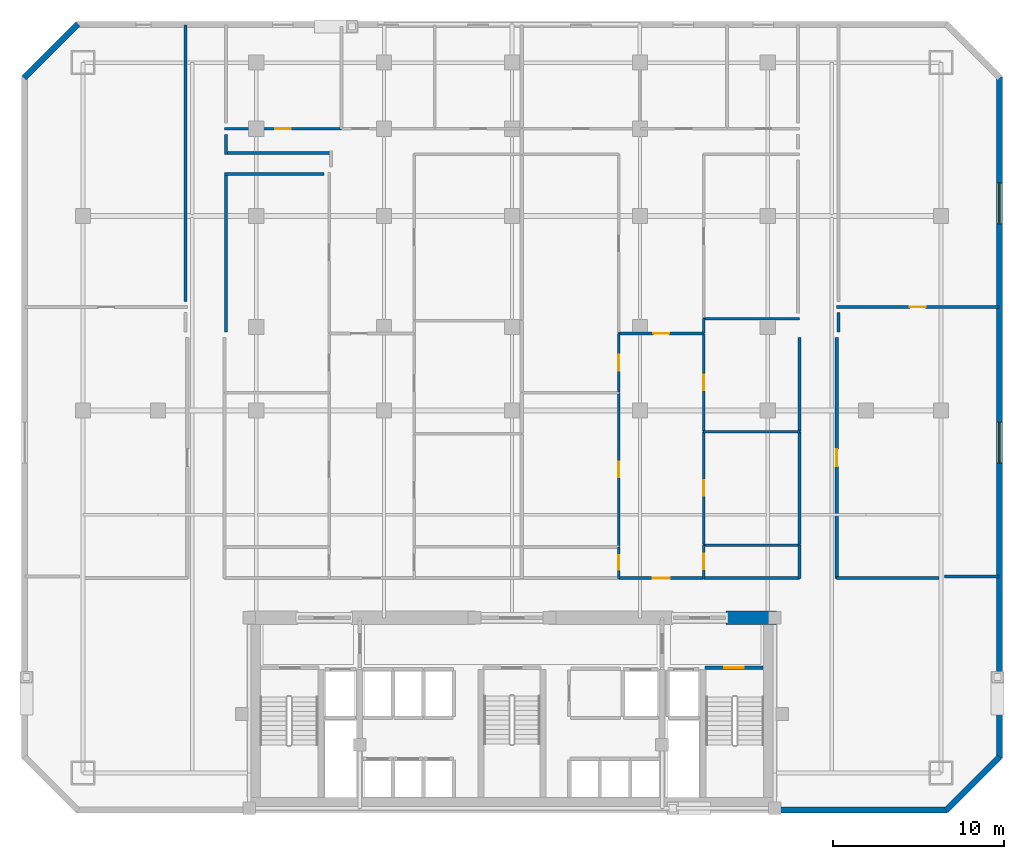
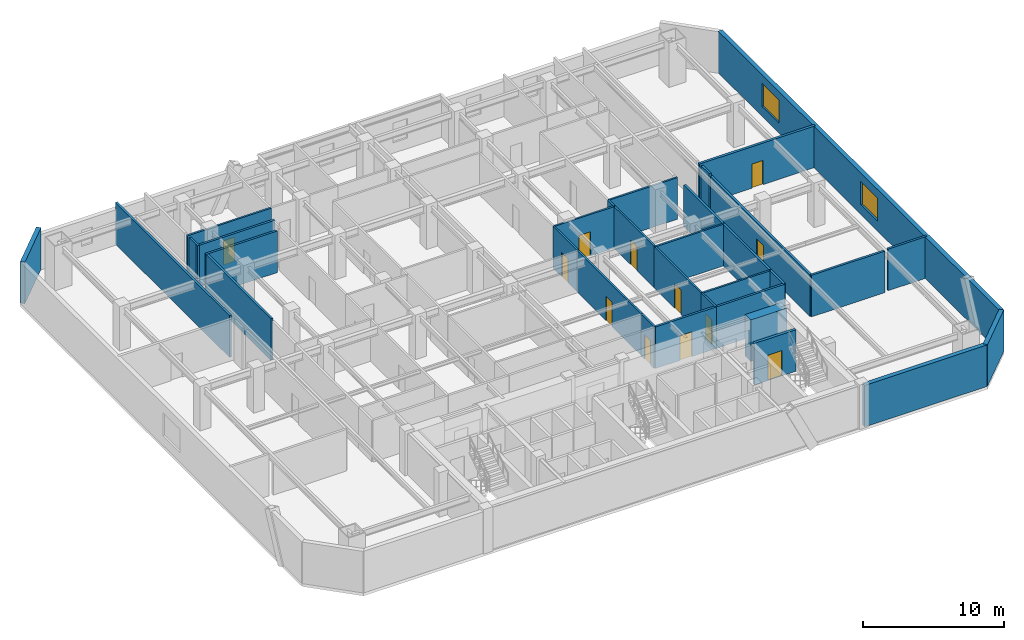
# One storey, part 5 of 8: 33 walls, 12 doors, 2 windows, 14 openings.
"""IFC4 building model written with IfcOpenShell, lengths in metres."""

from ifc_helpers import new_model, si_unit, direction, frame, frame_2d, origin, place, context, subcontext, project, spatial, rectangle, extrude, material, layer, layer_set, type_object, element, fill, save


model = new_model("IFC4")

# Units and contexts
model_context = context("Model", 3, precision=1e-05, world=origin(), true_north=direction((0.0, 1.0)))
body_context = subcontext(model_context, "Body", "Model", "MODEL_VIEW")
ifc_project = project(units=[si_unit("LENGTHUNIT", "METRE"), si_unit("AREAUNIT", "SQUARE_METRE"), si_unit("VOLUMEUNIT", "CUBIC_METRE"), si_unit("PLANEANGLEUNIT", "RADIAN"), si_unit("MASSUNIT", "GRAM", prefix="KILO")], contexts=[model_context])

# Site, building, storey
site_placement = place(None, origin())
site = spatial("IfcSite", under=ifc_project, at=site_placement, CompositionType="ELEMENT")
building_placement = place(site_placement, origin())
building = spatial("IfcBuilding", under=site, at=building_placement, Name="Ventersveld Concourse Tower", CompositionType="ELEMENT")
storey_placement = place(building_placement, frame((0.0, 0.0, 37.5)))
storey = spatial("IfcBuildingStorey", under=building, at=storey_placement, Name="L08", CompositionType="ELEMENT", Elevation=37.5)

# Wall
ifc_material_1 = material(Name="Concrete C60/75", Category="concrete")
ifc_layer_1 = layer(ifc_material_1, 0.800048828125)
ifc_layer_set_1 = layer_set([ifc_layer_1], Name="Concrete C60/75")
wall_type_1 = type_object("IfcWallType", Name="WL-CORE-800", PredefinedType="SHEAR", material=ifc_layer_set_1)
wall_1_placement = place(storey_placement, frame((41.300048828125, 11.449951171875, 0.0), z_axis=(0.0, 0.0, 1.0), x_axis=(1.0, 0.0, 0.0)))
element("IfcWall", 1, at=wall_1_placement, inside=storey, type_object=wall_type_1, Name="L08 Rear Core North Shear Wall NE", PredefinedType="SHEAR", context=body_context, shape_type="SweptSolid", body=[
    extrude(rectangle(XDim=2.949951171875, YDim=0.800048828125, at=frame_2d((1.47509765625, 0.0))), origin(), (0.0, 0.0, 1.0), 3.60009765625),
])

# Wall, opening, door
ifc_material_2 = material(Name="Fire-rated autoclaved aerated masonry blockwork", Category="masonry")
ifc_layer_2 = layer(ifc_material_2, 0.179931640625)
ifc_layer_set_2 = layer_set([ifc_layer_2], Name="Fire-rated autoclaved aerated masonry blockwork")
wall_type_2 = type_object("IfcWallType", Name="WL-CORR-180", PredefinedType="PARTITIONING", material=ifc_layer_set_2)
wall_2_placement = place(storey_placement, frame((47.7900390625, 13.764892578125, 0.0), z_axis=(0.0, 0.0, 1.0), x_axis=(0.0, 1.0, 0.0)))
wall_2 = element("IfcWall", 2, at=wall_2_placement, inside=storey, type_object=wall_type_2, Name="L08 Interior Partition SP-L08-COR-SP-L08-NELNG1", PredefinedType="PARTITIONING", context=body_context, shape_type="SweptSolid", body=[
    extrude(rectangle(XDim=14.130126953125, YDim=0.179931640625, at=frame_2d((7.06494140625, 0.0))), origin(), (0.0, 0.0, 1.0), 3.60009765625),
])
opening_1_placement = place(wall_2_placement, frame((6.56494140625, 0.0, 0.0)))
opening_1 = element("IfcOpeningElement", 3, at=opening_1_placement, cuts=wall_2, Name="Opening FD3", PredefinedType="OPENING", context=body_context, shape_type="SweptSolid", body=[
    extrude(rectangle(XDim=1.0, YDim=2.14990234375, at=frame_2d((0.5, 1.074951171875))), frame((0.0, 0.10009765625, 0.0), z_axis=(0.0, -1.0, 0.0), x_axis=(1.0, 0.0, 0.0)), (0.0, 0.0, 1.0), 0.199951171875),
])
ifc_material_3 = material(Name="Solid-core hardwood veneer timber", Category="wood")
door_type_1 = type_object("IfcDoorType", Name="DR-FLAT-100", OperationType="NOTDEFINED", PredefinedType="DOOR", material=ifc_material_3)
door_1_placement = place(opening_1_placement, origin())
door_1 = element("IfcDoor", 4, at=door_1_placement, inside=storey, type_object=door_type_1, Name="L08 Interior Door SP-L08-COR to SP-L08-NELNG1 (D-L08-0266)", OperationType="SINGLE_SWING_RIGHT", OverallHeight=2.14990234375, OverallWidth=1.0, PredefinedType="DOOR", context=body_context, shape_type="SweptSolid", body=[
    extrude(rectangle(XDim=1.0, YDim=2.14990234375, at=frame_2d((0.5, 1.074951171875))), frame((0.0, 0.02490234375, 0.0), z_axis=(0.0, -1.0, 0.0), x_axis=(1.0, 0.0, 0.0)), (0.0, 0.0, 1.0), 0.050048828125),
])
fill(opening_1, door_1)

# Wall
wall_3_placement = place(storey_placement, frame((47.784912109375, 13.77001953125, 0.0), z_axis=(0.0, 0.0, 1.0), x_axis=(1.0, 0.0, 0.0)))
element("IfcWall", 5, at=wall_3_placement, inside=storey, type_object=wall_type_2, Name="L08 Interior Partition SP-L08-COR-SP-L08-NELNG1", PredefinedType="PARTITIONING", context=body_context, shape_type="SweptSolid", body=[
    extrude(rectangle(XDim=6.010009765625, YDim=0.179931640625, at=frame_2d((3.0048828125, 0.0))), origin(), (0.0, 0.0, 1.0), 3.60009765625),
])

# Wall, opening, door
wall_4_placement = place(storey_placement, frame((35.00048828125, 13.77001953125, 0.0), z_axis=(0.0, 0.0, 1.0), x_axis=(1.0, 0.0, 0.0)))
wall_4 = element("IfcWall", 6, at=wall_4_placement, inside=storey, type_object=wall_type_2, Name="L08 Interior Partition SP-L08-COR-SP-L08-08N2-FOY", PredefinedType="PARTITIONING", context=body_context, shape_type="SweptSolid", body=[
    extrude(rectangle(XDim=4.989990234375, YDim=0.179931640625, at=frame_2d((2.4951171875, 0.0))), origin(), (0.0, 0.0, 1.0), 3.60009765625),
])
opening_2_placement = place(wall_4_placement, frame((1.9951171875, 0.0, 0.0)))
opening_2 = element("IfcOpeningElement", 7, at=opening_2_placement, cuts=wall_4, Name="Opening FD3", PredefinedType="OPENING", context=body_context, shape_type="SweptSolid", body=[
    extrude(rectangle(XDim=1.0, YDim=2.14990234375, at=frame_2d((0.5, 1.074951171875))), frame((0.0, 0.10009765625, 0.0), z_axis=(0.0, -1.0, 0.0), x_axis=(1.0, 0.0, 0.0)), (0.0, 0.0, 1.0), 0.199951171875),
])
door_2_placement = place(opening_2_placement, origin())
door_2 = element("IfcDoor", 8, at=door_2_placement, inside=storey, type_object=door_type_1, Name="L08 Interior Door SP-L08-COR to SP-L08-08N2-FOY (FD-L08-0268)", OperationType="SINGLE_SWING_RIGHT", OverallHeight=2.14990234375, OverallWidth=1.0, PredefinedType="DOOR", context=body_context, shape_type="SweptSolid", body=[
    extrude(rectangle(XDim=1.0, YDim=2.14990234375, at=frame_2d((0.5, 1.074951171875))), frame((0.0, 0.02490234375, 0.0), z_axis=(0.0, -1.0, 0.0), x_axis=(1.0, 0.0, 0.0)), (0.0, 0.0, 1.0), 0.050048828125),
])
fill(opening_2, door_2)

# Walls
wall_5_placement = place(storey_placement, frame((40.0205078125, 13.77001953125, 0.0), z_axis=(0.0, 0.0, 1.0), x_axis=(1.0, 0.0, 0.0)))
element("IfcWall", 9, at=wall_5_placement, inside=storey, type_object=wall_type_2, Name="L08 Interior Partition SP-L08-COR-SP-L08-08N2-KIT", PredefinedType="PARTITIONING", context=body_context, shape_type="SweptSolid", body=[
    extrude(rectangle(XDim=5.594482421875, YDim=0.179931640625, at=frame_2d((2.79736328125, 0.0))), origin(), (0.0, 0.0, 1.0), 3.60009765625),
])
wall_6_placement = place(storey_placement, frame((45.610107421875, 13.764892578125, 0.0), z_axis=(0.0, 0.0, 1.0), x_axis=(0.0, 1.0, 0.0)))
element("IfcWall", 10, at=wall_6_placement, inside=storey, type_object=wall_type_2, Name="L08 Interior Partition SP-L08-COR-SP-L08-08N2-KIT", PredefinedType="PARTITIONING", context=body_context, shape_type="SweptSolid", body=[
    extrude(rectangle(XDim=1.953369140625, YDim=0.179931640625, at=frame_2d((0.9765625, 0.0))), origin(), (0.0, 0.0, 1.0), 3.60009765625),
])
wall_7_placement = place(storey_placement, frame((45.610107421875, 15.748291015625, 0.0), z_axis=(0.0, 0.0, 1.0), x_axis=(0.0, 1.0, 0.0)))
element("IfcWall", 11, at=wall_7_placement, inside=storey, type_object=wall_type_2, Name="L08 Interior Partition SP-L08-COR-SP-L08-08N2-DENR", PredefinedType="PARTITIONING", context=body_context, shape_type="SweptSolid", body=[
    extrude(rectangle(XDim=6.60302734375, YDim=0.179931640625, at=frame_2d((3.301513671875, 0.0))), origin(), (0.0, 0.0, 1.0), 3.60009765625),
])
wall_8_placement = place(storey_placement, frame((45.610107421875, 22.381103515625, 0.0), z_axis=(0.0, 0.0, 1.0), x_axis=(0.0, 1.0, 0.0)))
element("IfcWall", 12, at=wall_8_placement, inside=storey, type_object=wall_type_2, Name="L08 Interior Partition SP-L08-COR-SP-L08-08N2-DENS", PredefinedType="PARTITIONING", context=body_context, shape_type="SweptSolid", body=[
    extrude(rectangle(XDim=5.513916015625, YDim=0.179931640625, at=frame_2d((2.7568359375, 0.0))), origin(), (0.0, 0.0, 1.0), 3.60009765625),
])
wall_9_placement = place(storey_placement, frame((9.6201171875, 46.18994140625, 0.0), z_axis=(0.0, 0.0, 1.0), x_axis=(0.0, -1.0, 0.0)))
element("IfcWall", 13, at=wall_9_placement, inside=storey, type_object=wall_type_2, Name="L08 Room Enclosure Wall SP-L08-NWLNG2", PredefinedType="PARTITIONING", context=body_context, shape_type="SweptSolid", body=[
    extrude(rectangle(XDim=16.19482421875, YDim=0.179931640625, at=frame_2d((8.097412109375, 0.0))), origin(), (0.0, 0.0, 1.0), 3.60009765625),
])
wall_10_placement = place(storey_placement, frame((47.8798828125, 28.2099609375, 0.0), z_axis=(0.0, 0.0, 1.0), x_axis=(0.0, 1.0, 0.0)))
element("IfcWall", 14, at=wall_10_placement, inside=storey, type_object=wall_type_2, Name="L08 Room Enclosure Wall SP-L08-NELNG1", PredefinedType="PARTITIONING", context=body_context, shape_type="SweptSolid", body=[
    extrude(rectangle(XDim=1.135009765625, YDim=0.179931640625, at=frame_2d((0.5673828125, 0.0))), origin(), (0.0, 0.0, 1.0), 3.60009765625),
])
wall_11_placement = place(storey_placement, frame((57.2900390625, 13.860107421875, 0.0), z_axis=(0.0, 0.0, 1.0), x_axis=(-1.0, 0.0, 0.0)))
element("IfcWall", 15, at=wall_11_placement, inside=storey, type_object=wall_type_2, Name="L08 Room Enclosure Wall SP-L08-NELNG1", PredefinedType="PARTITIONING", context=body_context, shape_type="SweptSolid", body=[
    extrude(rectangle(XDim=3.18017578125, YDim=0.179931640625, at=frame_2d((1.590087890625, 0.0))), origin(), (0.0, 0.0, 1.0), 3.60009765625),
])
wall_12_placement = place(storey_placement, frame((18.225341796875, 38.7099609375, 0.0), z_axis=(0.0, 0.0, 1.0), x_axis=(-1.0, 0.0, 0.0)))
element("IfcWall", 16, at=wall_12_placement, inside=storey, type_object=wall_type_2, Name="L08 Room Enclosure Wall SP-L08-08N1-LIV", PredefinedType="PARTITIONING", context=body_context, shape_type="SweptSolid", body=[
    extrude(rectangle(XDim=6.34033203125, YDim=0.179931640625, at=frame_2d((3.170166015625, 0.0))), origin(), (0.0, 0.0, 1.0), 3.60009765625),
])
wall_13_placement = place(storey_placement, frame((11.97998046875, 38.614990234375, 0.0), z_axis=(0.0, 0.0, 1.0), x_axis=(0.0, 1.0, 0.0)))
element("IfcWall", 17, at=wall_13_placement, inside=storey, type_object=wall_type_2, Name="L08 Room Enclosure Wall SP-L08-08N1-LIV", PredefinedType="PARTITIONING", context=body_context, shape_type="SweptSolid", body=[
    extrude(rectangle(XDim=1.179931640625, YDim=0.179931640625, at=frame_2d((0.58984375, 0.0))), origin(), (0.0, 0.0, 1.0), 3.60009765625),
])
wall_14_placement = place(storey_placement, frame((11.885009765625, 37.469482421875, 0.0), z_axis=(0.0, 0.0, 1.0), x_axis=(1.0, 0.0, 0.0)))
element("IfcWall", 18, at=wall_14_placement, inside=storey, type_object=wall_type_2, Name="L08 Room Enclosure Wall SP-L08-08N1-DENL2", PredefinedType="PARTITIONING", context=body_context, shape_type="SweptSolid", body=[
    extrude(rectangle(XDim=5.830322265625, YDim=0.179931640625, at=frame_2d((2.9150390625, 0.0))), origin(), (0.0, 0.0, 1.0), 3.60009765625),
])
wall_15_placement = place(storey_placement, frame((11.97998046875, 28.2099609375, 0.0), z_axis=(0.0, 0.0, 1.0), x_axis=(0.0, 1.0, 0.0)))
element("IfcWall", 19, at=wall_15_placement, inside=storey, type_object=wall_type_2, Name="L08 Room Enclosure Wall SP-L08-08N1-DENL2", PredefinedType="PARTITIONING", context=body_context, shape_type="SweptSolid", body=[
    extrude(rectangle(XDim=9.354736328125, YDim=0.179931640625, at=frame_2d((4.67724609375, 0.0))), origin(), (0.0, 0.0, 1.0), 3.60009765625),
])

# Wall, opening, door
ifc_layer_3 = layer(ifc_material_2, 0.199951171875)
ifc_layer_set_3 = layer_set([ifc_layer_3], Name="Fire-rated autoclaved aerated masonry blockwork")
wall_type_3 = type_object("IfcWallType", Name="WL-DEMISE-200", PredefinedType="PARTITIONING", material=ifc_layer_set_3)
wall_16_placement = place(storey_placement, frame((47.784912109375, 29.669921875, 0.0), z_axis=(0.0, 0.0, 1.0), x_axis=(1.0, 0.0, 0.0)))
wall_16 = element("IfcWall", 20, at=wall_16_placement, inside=storey, type_object=wall_type_3, Name="L08 Interior Partition SP-L08-NELNG1-SP-L08-NELNG2", PredefinedType="PARTITIONING", context=body_context, shape_type="SweptSolid", body=[
    extrude(rectangle(XDim=9.505126953125, YDim=0.199951171875, at=frame_2d((4.75244140625, 0.0))), origin(), (0.0, 0.0, 1.0), 3.60009765625),
])
opening_3_placement = place(wall_16_placement, frame((4.29248046875, 0.0, 0.0)))
opening_3 = element("IfcOpeningElement", 21, at=opening_3_placement, cuts=wall_16, Name="Opening ID1", PredefinedType="OPENING", context=body_context, shape_type="SweptSolid", body=[
    extrude(rectangle(XDim=0.919921875, YDim=2.10009765625, at=frame_2d((0.4599609375, 1.050048828125))), frame((0.0, 0.10986328125, 0.0), z_axis=(0.0, -1.0, 0.0), x_axis=(1.0, 0.0, 0.0)), (0.0, 0.0, 1.0), 0.219970703125),
])
door_type_2 = type_object("IfcDoorType", Name="DR-ROOM-092", OperationType="NOTDEFINED", PredefinedType="DOOR", material=ifc_material_3)
door_3_placement = place(opening_3_placement, origin())
door_3 = element("IfcDoor", 22, at=door_3_placement, inside=storey, type_object=door_type_2, Name="L08 Interior Door SP-L08-NELNG1 to SP-L08-NELNG2 (D-L08-0270)", OperationType="SINGLE_SWING_RIGHT", OverallHeight=2.10009765625, OverallWidth=0.919921875, PredefinedType="DOOR", context=body_context, shape_type="SweptSolid", body=[
    extrude(rectangle(XDim=0.919921875, YDim=2.10009765625, at=frame_2d((0.4599609375, 1.050048828125))), frame((0.0, 0.02490234375, 0.0), z_axis=(0.0, -1.0, 0.0), x_axis=(1.0, 0.0, 0.0)), (0.0, 0.0, 1.0), 0.050048828125),
])
fill(opening_3, door_3)

ifc_layer_4 = layer(ifc_material_2, 0.219970703125)
ifc_layer_set_4 = layer_set([ifc_layer_4], Name="Fire-rated autoclaved aerated masonry blockwork")
wall_type_4 = type_object("IfcWallType", Name="WL-HOIST-220", PredefinedType="SOLIDWALL", material=ifc_layer_set_4)
wall_17_placement = place(storey_placement, frame((40.06005859375, 8.52001953125, 0.0), z_axis=(0.0, 0.0, 1.0), x_axis=(1.0, 0.0, 0.0)))
wall_17 = element("IfcWall", 23, at=wall_17_placement, inside=storey, type_object=wall_type_4, Name="L08 Escape Stair ST02 Fire Wall", PredefinedType="SOLIDWALL", context=body_context, shape_type="SweptSolid", body=[
    extrude(rectangle(XDim=3.39990234375, YDim=0.219970703125, at=frame_2d((1.699951171875, 0.0))), origin(), (0.0, 0.0, 1.0), 3.60009765625),
])
opening_4_placement = place(wall_17_placement, frame((1.125, 0.0, 0.0)))
opening_4 = element("IfcOpeningElement", 24, at=opening_4_placement, cuts=wall_17, Name="Opening FD1", PredefinedType="OPENING", context=body_context, shape_type="SweptSolid", body=[
    extrude(rectangle(XDim=1.14990234375, YDim=2.199951171875, at=frame_2d((0.574951171875, 1.10009765625))), frame((0.0, 0.1201171875, 0.0), z_axis=(0.0, -1.0, 0.0), x_axis=(1.0, 0.0, 0.0)), (0.0, 0.0, 1.0), 0.239990234375),
])
ifc_material_4 = material(Name="Galvanised painted steel", Category="steel")
door_type_3 = type_object("IfcDoorType", Name="DR-STAIR-115", OperationType="NOTDEFINED", PredefinedType="DOOR", material=ifc_material_4)
door_4_placement = place(opening_4_placement, origin())
door_4 = element("IfcDoor", 25, at=door_4_placement, inside=storey, type_object=door_type_3, Name="L08 Escape Stair Door ST02 (SD-L08-0257)", OperationType="SINGLE_SWING_RIGHT", OverallHeight=2.199951171875, OverallWidth=1.14990234375, PredefinedType="DOOR", context=body_context, shape_type="SweptSolid", body=[
    extrude(rectangle(XDim=1.14990234375, YDim=2.199951171875, at=frame_2d((0.574951171875, 1.10009765625))), frame((0.0, 0.02490234375, 0.0), z_axis=(0.0, -1.0, 0.0), x_axis=(1.0, 0.0, 0.0)), (0.0, 0.0, 1.0), 0.050048828125),
])
fill(opening_4, door_4)

ifc_material_5 = material(Name="Autoclaved aerated masonry blockwork", Category="masonry")
ifc_layer_5 = layer(ifc_material_5, 0.14990234375)
ifc_layer_set_5 = layer_set([ifc_layer_5], Name="Autoclaved aerated masonry blockwork")
wall_type_5 = type_object("IfcWallType", Name="WL-INT-150", PredefinedType="PARTITIONING", material=ifc_layer_set_5)
wall_18_placement = place(storey_placement, frame((11.885009765625, 40.1201171875, 0.0), z_axis=(0.0, 0.0, 1.0), x_axis=(1.0, 0.0, 0.0)))
wall_18 = element("IfcWall", 26, at=wall_18_placement, inside=storey, type_object=wall_type_5, Name="L08 Interior Partition SP-L08-08N1-LIV-SP-L08-08N1-BR1", PredefinedType="PARTITIONING", context=body_context, shape_type="SweptSolid", body=[
    extrude(rectangle(XDim=6.873291015625, YDim=0.14990234375, at=frame_2d((3.4365234375, 0.0))), origin(), (0.0, 0.0, 1.0), 3.60009765625),
])
opening_5_placement = place(wall_18_placement, frame((2.9765625, 0.0, 0.0)))
opening_5 = element("IfcOpeningElement", 27, at=opening_5_placement, cuts=wall_18, Name="Opening ID1", PredefinedType="OPENING", context=body_context, shape_type="SweptSolid", body=[
    extrude(rectangle(XDim=0.919921875, YDim=2.10009765625, at=frame_2d((0.4599609375, 1.050048828125))), frame((0.0, 0.0849609375, 0.0), z_axis=(0.0, -1.0, 0.0), x_axis=(1.0, 0.0, 0.0)), (0.0, 0.0, 1.0), 0.169921875),
])
door_5_placement = place(opening_5_placement, origin())
door_5 = element("IfcDoor", 28, at=door_5_placement, inside=storey, type_object=door_type_2, Name="L08 Interior Door SP-L08-08N1-LIV to SP-L08-08N1-BR1 (D-L08-0280)", OperationType="SINGLE_SWING_RIGHT", OverallHeight=2.10009765625, OverallWidth=0.919921875, PredefinedType="DOOR", context=body_context, shape_type="SweptSolid", body=[
    extrude(rectangle(XDim=0.919921875, YDim=2.10009765625, at=frame_2d((0.4599609375, 1.050048828125))), frame((0.0, 0.02490234375, 0.0), z_axis=(0.0, -1.0, 0.0), x_axis=(1.0, 0.0, 0.0)), (0.0, 0.0, 1.0), 0.050048828125),
])
fill(opening_5, door_5)

wall_19_placement = place(storey_placement, frame((35.00048828125, 28.11669921875, 0.0), z_axis=(0.0, 0.0, 1.0), x_axis=(1.0, 0.0, 0.0)))
wall_19 = element("IfcWall", 29, at=wall_19_placement, inside=storey, type_object=wall_type_5, Name="L08 Interior Partition SP-L08-08N2-FOY-SP-L08-08N2-LIV", PredefinedType="PARTITIONING", context=body_context, shape_type="SweptSolid", body=[
    extrude(rectangle(XDim=4.989990234375, YDim=0.14990234375, at=frame_2d((2.4951171875, 0.0))), origin(), (0.0, 0.0, 1.0), 3.60009765625),
])
opening_6_placement = place(wall_19_placement, frame((2.034912109375, 0.0, 0.0)))
opening_6 = element("IfcOpeningElement", 30, at=opening_6_placement, cuts=wall_19, Name="Opening ID1", PredefinedType="OPENING", context=body_context, shape_type="SweptSolid", body=[
    extrude(rectangle(XDim=0.919921875, YDim=2.10009765625, at=frame_2d((0.4599609375, 1.050048828125))), frame((0.0, 0.0849609375, 0.0), z_axis=(0.0, -1.0, 0.0), x_axis=(1.0, 0.0, 0.0)), (0.0, 0.0, 1.0), 0.169921875),
])
door_6_placement = place(opening_6_placement, origin())
door_6 = element("IfcDoor", 31, at=door_6_placement, inside=storey, type_object=door_type_2, Name="L08 Interior Door SP-L08-08N2-FOY to SP-L08-08N2-LIV (D-L08-0283)", OperationType="SINGLE_SWING_LEFT", OverallHeight=2.10009765625, OverallWidth=0.919921875, PredefinedType="DOOR", context=body_context, shape_type="SweptSolid", body=[
    extrude(rectangle(XDim=0.919921875, YDim=2.10009765625, at=frame_2d((0.4599609375, 1.050048828125))), frame((0.0, 0.02490234375, 0.0), z_axis=(0.0, -1.0, 0.0), x_axis=(1.0, 0.0, 0.0)), (0.0, 0.0, 1.0), 0.050048828125),
])
fill(opening_6, door_6)

wall_20_placement = place(storey_placement, frame((35.005615234375, 15.635009765625, 0.0), z_axis=(0.0, 0.0, 1.0), x_axis=(0.0, 1.0, 0.0)))
wall_20 = element("IfcWall", 32, at=wall_20_placement, inside=storey, type_object=wall_type_5, Name="L08 Interior Partition SP-L08-08N2-FOY-SP-L08-08N2-DENL", PredefinedType="PARTITIONING", context=body_context, shape_type="SweptSolid", body=[
    extrude(rectangle(XDim=9.019775390625, YDim=0.14990234375, at=frame_2d((4.509765625, 0.0))), origin(), (0.0, 0.0, 1.0), 3.60009765625),
])
opening_7_placement = place(wall_20_placement, frame((4.050048828125, 0.0, 0.0)))
opening_7 = element("IfcOpeningElement", 33, at=opening_7_placement, cuts=wall_20, Name="Opening ID1", PredefinedType="OPENING", context=body_context, shape_type="SweptSolid", body=[
    extrude(rectangle(XDim=0.919921875, YDim=2.10009765625, at=frame_2d((0.4599609375, 1.050048828125))), frame((0.0, 0.0849609375, 0.0), z_axis=(0.0, -1.0, 0.0), x_axis=(1.0, 0.0, 0.0)), (0.0, 0.0, 1.0), 0.169921875),
])
door_7_placement = place(opening_7_placement, origin())
door_7 = element("IfcDoor", 34, at=door_7_placement, inside=storey, type_object=door_type_2, Name="L08 Interior Door SP-L08-08N2-FOY to SP-L08-08N2-DENL (D-L08-0285)", OperationType="SINGLE_SWING_LEFT", OverallHeight=2.10009765625, OverallWidth=0.919921875, PredefinedType="DOOR", context=body_context, shape_type="SweptSolid", body=[
    extrude(rectangle(XDim=0.919921875, YDim=2.10009765625, at=frame_2d((0.4599609375, 1.050048828125))), frame((0.0, 0.02490234375, 0.0), z_axis=(0.0, -1.0, 0.0), x_axis=(1.0, 0.0, 0.0)), (0.0, 0.0, 1.0), 0.050048828125),
])
fill(opening_7, door_7)

wall_21_placement = place(storey_placement, frame((35.005615234375, 24.684814453125, 0.0), z_axis=(0.0, 0.0, 1.0), x_axis=(0.0, 1.0, 0.0)))
wall_21 = element("IfcWall", 35, at=wall_21_placement, inside=storey, type_object=wall_type_5, Name="L08 Interior Partition SP-L08-08N2-FOY-SP-L08-08N2-DENL2", PredefinedType="PARTITIONING", context=body_context, shape_type="SweptSolid", body=[
    extrude(rectangle(XDim=3.436767578125, YDim=0.14990234375, at=frame_2d((1.71826171875, 0.0))), origin(), (0.0, 0.0, 1.0), 3.60009765625),
])
opening_8_placement = place(wall_21_placement, frame((1.25830078125, 0.0, 0.0)))
opening_8 = element("IfcOpeningElement", 36, at=opening_8_placement, cuts=wall_21, Name="Opening ID1", PredefinedType="OPENING", context=body_context, shape_type="SweptSolid", body=[
    extrude(rectangle(XDim=0.919921875, YDim=2.10009765625, at=frame_2d((0.4599609375, 1.050048828125))), frame((0.0, 0.0849609375, 0.0), z_axis=(0.0, -1.0, 0.0), x_axis=(1.0, 0.0, 0.0)), (0.0, 0.0, 1.0), 0.169921875),
])
door_8_placement = place(opening_8_placement, origin())
door_8 = element("IfcDoor", 37, at=door_8_placement, inside=storey, type_object=door_type_2, Name="L08 Interior Door SP-L08-08N2-FOY to SP-L08-08N2-DENL2 (D-L08-0286)", OperationType="SINGLE_SWING_RIGHT", OverallHeight=2.10009765625, OverallWidth=0.919921875, PredefinedType="DOOR", context=body_context, shape_type="SweptSolid", body=[
    extrude(rectangle(XDim=0.919921875, YDim=2.10009765625, at=frame_2d((0.4599609375, 1.050048828125))), frame((0.0, 0.02490234375, 0.0), z_axis=(0.0, -1.0, 0.0), x_axis=(1.0, 0.0, 0.0)), (0.0, 0.0, 1.0), 0.050048828125),
])
fill(opening_8, door_8)

wall_22_placement = place(storey_placement, frame((39.985595703125, 13.764892578125, 0.0), z_axis=(0.0, 0.0, 1.0), x_axis=(0.0, 1.0, 0.0)))
wall_22 = element("IfcWall", 38, at=wall_22_placement, inside=storey, type_object=wall_type_5, Name="L08 Interior Partition SP-L08-08N2-FOY-SP-L08-08N2-KIT", PredefinedType="PARTITIONING", context=body_context, shape_type="SweptSolid", body=[
    extrude(rectangle(XDim=1.953369140625, YDim=0.14990234375, at=frame_2d((0.9765625, 0.0))), origin(), (0.0, 0.0, 1.0), 3.60009765625),
])
opening_9_placement = place(wall_22_placement, frame((0.5166015625, 0.0, 0.0)))
opening_9 = element("IfcOpeningElement", 39, at=opening_9_placement, cuts=wall_22, Name="Opening ID1", PredefinedType="OPENING", context=body_context, shape_type="SweptSolid", body=[
    extrude(rectangle(XDim=0.919921875, YDim=2.10009765625, at=frame_2d((0.4599609375, 1.050048828125))), frame((0.0, 0.0849609375, 0.0), z_axis=(0.0, -1.0, 0.0), x_axis=(1.0, 0.0, 0.0)), (0.0, 0.0, 1.0), 0.169921875),
])
door_9_placement = place(opening_9_placement, origin())
door_9 = element("IfcDoor", 40, at=door_9_placement, inside=storey, type_object=door_type_2, Name="L08 Interior Door SP-L08-08N2-FOY to SP-L08-08N2-KIT (D-L08-0287)", OperationType="SINGLE_SWING_LEFT", OverallHeight=2.10009765625, OverallWidth=0.919921875, PredefinedType="DOOR", context=body_context, shape_type="SweptSolid", body=[
    extrude(rectangle(XDim=0.919921875, YDim=2.10009765625, at=frame_2d((0.4599609375, 1.050048828125))), frame((0.0, 0.02490234375, 0.0), z_axis=(0.0, -1.0, 0.0), x_axis=(1.0, 0.0, 0.0)), (0.0, 0.0, 1.0), 0.050048828125),
])
fill(opening_9, door_9)

wall_23_placement = place(storey_placement, frame((39.985595703125, 15.748291015625, 0.0), z_axis=(0.0, 0.0, 1.0), x_axis=(0.0, 1.0, 0.0)))
wall_23 = element("IfcWall", 41, at=wall_23_placement, inside=storey, type_object=wall_type_5, Name="L08 Interior Partition SP-L08-08N2-FOY-SP-L08-08N2-DENR", PredefinedType="PARTITIONING", context=body_context, shape_type="SweptSolid", body=[
    extrude(rectangle(XDim=6.60302734375, YDim=0.14990234375, at=frame_2d((3.301513671875, 0.0))), origin(), (0.0, 0.0, 1.0), 3.60009765625),
])
opening_10_placement = place(wall_23_placement, frame((2.841552734375, 0.0, 0.0)))
opening_10 = element("IfcOpeningElement", 42, at=opening_10_placement, cuts=wall_23, Name="Opening ID1", PredefinedType="OPENING", context=body_context, shape_type="SweptSolid", body=[
    extrude(rectangle(XDim=0.919921875, YDim=2.10009765625, at=frame_2d((0.4599609375, 1.050048828125))), frame((0.0, 0.0849609375, 0.0), z_axis=(0.0, -1.0, 0.0), x_axis=(1.0, 0.0, 0.0)), (0.0, 0.0, 1.0), 0.169921875),
])
door_10_placement = place(opening_10_placement, origin())
door_10 = element("IfcDoor", 43, at=door_10_placement, inside=storey, type_object=door_type_2, Name="L08 Interior Door SP-L08-08N2-FOY to SP-L08-08N2-DENR (D-L08-0288)", OperationType="SINGLE_SWING_RIGHT", OverallHeight=2.10009765625, OverallWidth=0.919921875, PredefinedType="DOOR", context=body_context, shape_type="SweptSolid", body=[
    extrude(rectangle(XDim=0.919921875, YDim=2.10009765625, at=frame_2d((0.4599609375, 1.050048828125))), frame((0.0, 0.02490234375, 0.0), z_axis=(0.0, -1.0, 0.0), x_axis=(1.0, 0.0, 0.0)), (0.0, 0.0, 1.0), 0.050048828125),
])
fill(opening_10, door_10)

wall_24_placement = place(storey_placement, frame((39.985595703125, 22.381103515625, 0.0), z_axis=(0.0, 0.0, 1.0), x_axis=(0.0, 1.0, 0.0)))
wall_24 = element("IfcWall", 44, at=wall_24_placement, inside=storey, type_object=wall_type_5, Name="L08 Interior Partition SP-L08-08N2-FOY-SP-L08-08N2-DENS", PredefinedType="PARTITIONING", context=body_context, shape_type="SweptSolid", body=[
    extrude(rectangle(XDim=5.740478515625, YDim=0.14990234375, at=frame_2d((2.8701171875, 0.0))), origin(), (0.0, 0.0, 1.0), 3.60009765625),
])
opening_11_placement = place(wall_24_placement, frame((2.410400390625, 0.0, 0.0)))
opening_11 = element("IfcOpeningElement", 45, at=opening_11_placement, cuts=wall_24, Name="Opening ID1", PredefinedType="OPENING", context=body_context, shape_type="SweptSolid", body=[
    extrude(rectangle(XDim=0.919921875, YDim=2.10009765625, at=frame_2d((0.4599609375, 1.050048828125))), frame((0.0, 0.0849609375, 0.0), z_axis=(0.0, -1.0, 0.0), x_axis=(1.0, 0.0, 0.0)), (0.0, 0.0, 1.0), 0.169921875),
])
door_11_placement = place(opening_11_placement, origin())
door_11 = element("IfcDoor", 46, at=door_11_placement, inside=storey, type_object=door_type_2, Name="L08 Interior Door SP-L08-08N2-FOY to SP-L08-08N2-DENS (D-L08-0289)", OperationType="SINGLE_SWING_LEFT", OverallHeight=2.10009765625, OverallWidth=0.919921875, PredefinedType="DOOR", context=body_context, shape_type="SweptSolid", body=[
    extrude(rectangle(XDim=0.919921875, YDim=2.10009765625, at=frame_2d((0.4599609375, 1.050048828125))), frame((0.0, 0.02490234375, 0.0), z_axis=(0.0, -1.0, 0.0), x_axis=(1.0, 0.0, 0.0)), (0.0, 0.0, 1.0), 0.050048828125),
])
fill(opening_11, door_11)

# Walls
wall_25_placement = place(storey_placement, frame((39.985595703125, 28.151611328125, 0.0), z_axis=(0.0, 0.0, 1.0), x_axis=(0.0, 1.0, 0.0)))
element("IfcWall", 47, at=wall_25_placement, inside=storey, type_object=wall_type_5, Name="L08 Interior Partition SP-L08-08N2-LIV-SP-L08-08N2-DENS", PredefinedType="PARTITIONING", context=body_context, shape_type="SweptSolid", body=[
    extrude(rectangle(XDim=0.83251953125, YDim=0.14990234375, at=frame_2d((0.416259765625, 0.0))), origin(), (0.0, 0.0, 1.0), 3.60009765625),
])
for number, where, z_axis, x_axis, name in (
    (48, (39.980712890625, 15.71337890625, 0.0), (0.0, 0.0, 1.0), (1.0, 0.0, 0.0), "L08 Interior Partition SP-L08-08N2-KIT-SP-L08-08N2-DENR"),
    (49, (39.980712890625, 22.34619140625, 0.0), (0.0, 0.0, 1.0), (1.0, 0.0, 0.0), "L08 Interior Partition SP-L08-08N2-DENR-SP-L08-08N2-DENS"),
    (50, (39.980712890625, 28.97900390625, 0.0), (0.0, 0.0, 1.0), (1.0, 0.0, 0.0), "L08 Interior Partition SP-L08-08N2-DENS-SP-L08-08N2-DENS2"),
):
    element("IfcWall", number, at=place(storey_placement, frame(where, z_axis=z_axis, x_axis=x_axis)), inside=storey, type_object=wall_type_5, Name=name, PredefinedType="PARTITIONING", context=body_context, shape_type="SweptSolid", body=[
        extrude(rectangle(XDim=5.63427734375, YDim=0.14990234375, at=frame_2d((2.817138671875, 0.0))), origin(), (0.0, 0.0, 1.0), 3.60009765625),
    ])
ifc_material_6 = material(Name="Precast concrete C45/55", Category="concrete")
ifc_layer_6 = layer(ifc_material_6, 0.35009765625)
ifc_layer_set_6 = layer_set([ifc_layer_6], Name="Precast concrete C45/55")
wall_type_6 = type_object("IfcWallType", Name="WL-PREC-350", PredefinedType="SOLIDWALL", material=ifc_layer_set_6)
wall_26_placement = place(storey_placement, frame((44.25, 0.179931640625, 0.0), z_axis=(0.0, 0.0, 1.0), x_axis=(1.0, 0.0, 0.0)))
element("IfcWall", 51, at=wall_26_placement, inside=storey, type_object=wall_type_6, Name="L08 South-East Flank Precast Wall", PredefinedType="SOLIDWALL", context=body_context, shape_type="SweptSolid", body=[
    extrude(rectangle(XDim=10.010009765625, YDim=0.35009765625, at=frame_2d((5.0048828125, 0.0))), origin(), (0.0, 0.0, 1.0), 3.60009765625),
])
wall_27_placement = place(storey_placement, frame((54.20458984375, 0.152099609375, 0.0), z_axis=(0.0, 0.0, 1.0), x_axis=(0.707106781187, 0.707106781187, 0.0)))
element("IfcWall", 52, at=wall_27_placement, inside=storey, type_object=wall_type_6, Name="L08 Highveld Precast Facade Wall E02", PredefinedType="SOLIDWALL", context=body_context, shape_type="SweptSolid", body=[
    extrude(rectangle(XDim=4.4453125, YDim=0.35009765625, at=frame_2d((2.22265625, 0.0))), origin(), (0.0, 0.0, 1.0), 3.60009765625),
])

# Wall, openings, windows
wall_28_placement = place(storey_placement, frame((57.324951171875, 3.239990234375, 0.0), z_axis=(0.0, 0.0, 1.0), x_axis=(0.0, 1.0, 0.0)))
wall_28 = element("IfcWall", 53, at=wall_28_placement, inside=storey, type_object=wall_type_6, Name="L08 Highveld Precast Facade Wall E03", PredefinedType="SOLIDWALL", context=body_context, shape_type="SweptSolid", body=[
    extrude(rectangle(XDim=39.919921875, YDim=0.35009765625, at=frame_2d((19.9599609375, 0.0))), origin(), (0.0, 0.0, 1.0), 3.60009765625),
])
opening_12_placement = place(wall_28_placement, frame((17.280029296875, 0.0, 0.85009765625)))
opening_12 = element("IfcOpeningElement", 54, at=opening_12_placement, cuts=wall_28, Name="Opening W5", PredefinedType="OPENING", context=body_context, shape_type="SweptSolid", body=[
    extrude(rectangle(XDim=2.39990234375, YDim=2.0, at=frame_2d((1.199951171875, 1.0))), frame((0.0, 0.18505859375, 0.0), z_axis=(0.0, -1.0, 0.0), x_axis=(1.0, 0.0, 0.0)), (0.0, 0.0, 1.0), 0.3701171875),
])
opening_13_placement = place(wall_28_placement, frame((31.3076171875, 0.0, 0.85009765625)))
opening_13 = element("IfcOpeningElement", 55, at=opening_13_placement, cuts=wall_28, Name="Opening W5", PredefinedType="OPENING", context=body_context, shape_type="SweptSolid", body=[
    extrude(rectangle(XDim=2.39990234375, YDim=2.0, at=frame_2d((1.199951171875, 1.0))), frame((0.0, 0.18505859375, 0.0), z_axis=(0.0, -1.0, 0.0), x_axis=(1.0, 0.0, 0.0)), (0.0, 0.0, 1.0), 0.3701171875),
])
ifc_material_7 = material(Name="Tempered acoustic Low-E IGU", Category="glass")
window_type = type_object("IfcWindowType", Name="WIN-240x210", PartitioningType="SINGLE_PANEL", PredefinedType="WINDOW", material=ifc_material_7)
window_1_placement = place(opening_12_placement, origin())
window_1 = element("IfcWindow", 56, at=window_1_placement, inside=storey, type_object=window_type, Name="L08 Punched Low-E Window W-0025", OverallHeight=2.0, OverallWidth=2.39990234375, PartitioningType="SINGLE_PANEL", PredefinedType="WINDOW", context=body_context, shape_type="SweptSolid", body=[
    extrude(rectangle(XDim=2.39990234375, YDim=2.0, at=frame_2d((1.199951171875, 1.0))), frame((0.0, 0.030029296875, 0.0), z_axis=(0.0, -1.0, 0.0), x_axis=(1.0, 0.0, 0.0)), (0.0, 0.0, 1.0), 0.06005859375),
])
fill(opening_12, window_1)
window_2_placement = place(opening_13_placement, origin())
window_2 = element("IfcWindow", 57, at=window_2_placement, inside=storey, type_object=window_type, Name="L08 Punched Low-E Window W-0026", OverallHeight=2.0, OverallWidth=2.39990234375, PartitioningType="SINGLE_PANEL", PredefinedType="WINDOW", context=body_context, shape_type="SweptSolid", body=[
    extrude(rectangle(XDim=2.39990234375, YDim=2.0, at=frame_2d((1.199951171875, 1.0))), frame((0.0, 0.030029296875, 0.0), z_axis=(0.0, -1.0, 0.0), x_axis=(1.0, 0.0, 0.0)), (0.0, 0.0, 1.0), 0.06005859375),
])
fill(opening_13, window_2)

# Wall
wall_29_placement = place(storey_placement, frame((3.29541015625, 46.248046875, 0.0), z_axis=(0.0, 0.0, 1.0), x_axis=(-0.707079321262, -0.707134240044, 0.0)))
element("IfcWall", 58, at=wall_29_placement, inside=storey, type_object=wall_type_6, Name="L08 Highveld Precast Facade Wall E06", PredefinedType="SOLIDWALL", context=body_context, shape_type="SweptSolid", body=[
    extrude(rectangle(XDim=4.445556640625, YDim=0.35009765625, at=frame_2d((2.22265625, 0.0))), origin(), (0.0, 0.0, 1.0), 3.60009765625),
])

# Wall, opening, door
ifc_layer_7 = layer(ifc_material_5, 0.1650390625)
ifc_layer_set_7 = layer_set([ifc_layer_7], Name="Autoclaved aerated masonry blockwork")
wall_type_7 = type_object("IfcWallType", Name="WL-WET-165", PredefinedType="PLUMBINGWALL", material=ifc_layer_set_7)
wall_30_placement = place(storey_placement, frame((35.005615234375, 13.764892578125, 0.0), z_axis=(0.0, 0.0, 1.0), x_axis=(0.0, 1.0, 0.0)))
wall_30 = element("IfcWall", 59, at=wall_30_placement, inside=storey, type_object=wall_type_7, Name="L08 Interior Partition SP-L08-08N2-FOY-SP-L08-08N2-BATH", PredefinedType="PLUMBINGWALL", context=body_context, shape_type="SweptSolid", body=[
    extrude(rectangle(XDim=1.840087890625, YDim=0.1650390625, at=frame_2d((0.919921875, 0.0))), origin(), (0.0, 0.0, 1.0), 3.60009765625),
])
opening_14_placement = place(wall_30_placement, frame((0.4951171875, 0.0, 0.0)))
opening_14 = element("IfcOpeningElement", 60, at=opening_14_placement, cuts=wall_30, Name="Opening ID2", PredefinedType="OPENING", context=body_context, shape_type="SweptSolid", body=[
    extrude(rectangle(XDim=0.85009765625, YDim=2.10009765625, at=frame_2d((0.425048828125, 1.050048828125))), frame((0.0, 0.092529296875, 0.0), z_axis=(0.0, -1.0, 0.0), x_axis=(1.0, 0.0, 0.0)), (0.0, 0.0, 1.0), 0.18505859375),
])
door_type_4 = type_object("IfcDoorType", Name="DR-BATH-085", OperationType="NOTDEFINED", PredefinedType="DOOR", material=ifc_material_3)
door_12_placement = place(opening_14_placement, origin())
door_12 = element("IfcDoor", 61, at=door_12_placement, inside=storey, type_object=door_type_4, Name="L08 Interior Door SP-L08-08N2-FOY to SP-L08-08N2-BATH (D-L08-0284)", OperationType="SINGLE_SWING_RIGHT", OverallHeight=2.10009765625, OverallWidth=0.85009765625, PredefinedType="DOOR", context=body_context, shape_type="SweptSolid", body=[
    extrude(rectangle(XDim=0.85009765625, YDim=2.10009765625, at=frame_2d((0.425048828125, 1.050048828125))), frame((0.0, 0.02490234375, 0.0), z_axis=(0.0, -1.0, 0.0), x_axis=(1.0, 0.0, 0.0)), (0.0, 0.0, 1.0), 0.050048828125),
])
fill(opening_14, door_12)

save(model, "model.ifc")
